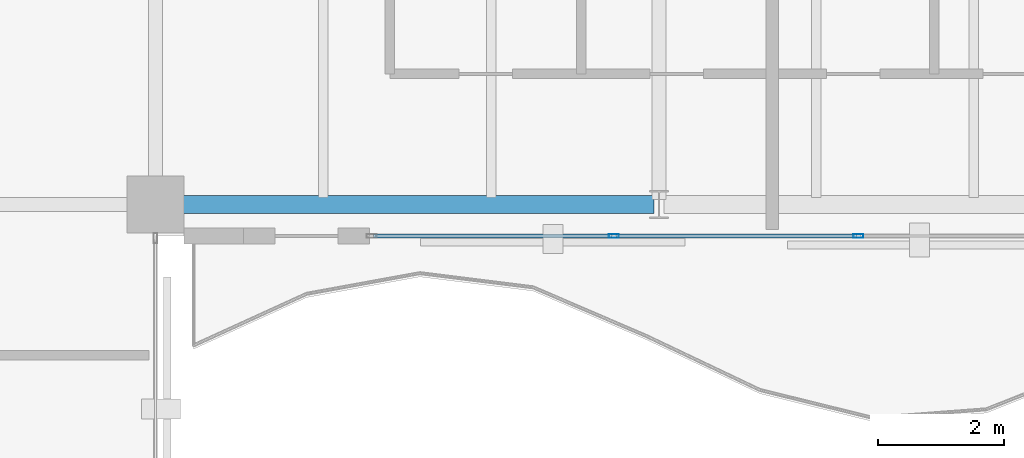
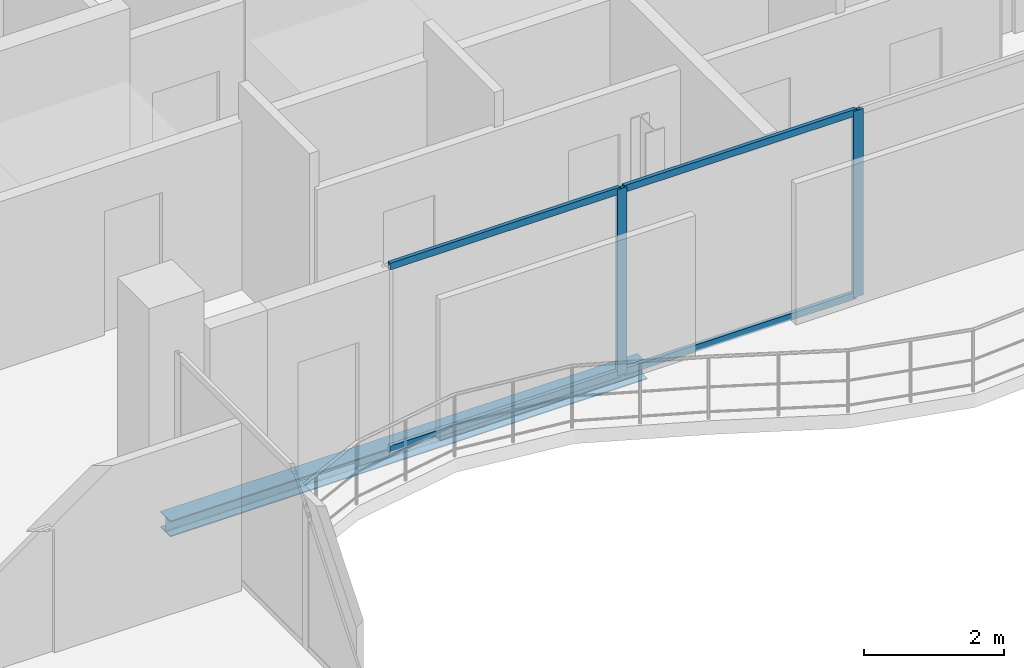
# One storey, part 9 of 22: 6 members, 1 beam, 1 element without a shape of its own.
"""IFC4 building model written with IfcOpenShell, lengths in metres."""

from ifc_helpers import new_model, si_unit, direction, frame, origin, origin_2d, place, context, subcontext, project, spatial, hollow_rectangle, i_section, extrude, material, layer, layer_set, material_profile, profile_set, type_object, element, aggregate, save


model = new_model("IFC4")

# Units and contexts
model_context = context("Model", 3, precision=1e-05, world=origin(), true_north=direction((0.0, 1.0)))
body_context = subcontext(model_context, "Body", "Model", "MODEL_VIEW")
ifc_project = project(units=[si_unit("LENGTHUNIT", "METRE"), si_unit("AREAUNIT", "SQUARE_METRE"), si_unit("VOLUMEUNIT", "CUBIC_METRE"), si_unit("PLANEANGLEUNIT", "RADIAN"), si_unit("MASSUNIT", "GRAM", prefix="KILO")], contexts=[model_context])

# Site, building, storey
site_placement = place(None, origin())
site = spatial("IfcSite", under=ifc_project, at=site_placement, CompositionType="ELEMENT")
building_placement = place(site_placement, origin())
building = spatial("IfcBuilding", under=site, at=building_placement, Name="Catumbela Crestline Tower", CompositionType="ELEMENT")
storey_placement = place(building_placement, frame((0.0, 0.0, 218.4)))
storey = spatial("IfcBuildingStorey", under=building, at=storey_placement, Name="L56", CompositionType="ELEMENT", Elevation=218.4)

# Curtain wall, members
ifc_material_1 = material(Name="Aluminium alloy AW-6060-T66", Category="aluminium")
ifc_layer = layer(ifc_material_1, 0.18, Name="Aluminium alloy AW-6060-T66")
ifc_layer_set = layer_set([ifc_layer], Name="Aluminium alloy AW-6060-T66")
curtain_wall_type = type_object("IfcCurtainWallType", Name="CWU-Z4", PredefinedType="USERDEFINED", material=ifc_layer_set)
curtain_wall_placement = place(storey_placement, origin())
curtain_wall = element("IfcCurtainWall", 1, at=curtain_wall_placement, inside=storey, type_object=curtain_wall_type, Name="L56 Unitised Curtain Wall CW-L56-E3S2", ObjectType="UNITISED", PredefinedType="USERDEFINED")
ifc_material_profile_1 = material_profile(ifc_material_1, hollow_rectangle(XDim=0.06, YDim=0.16, WallThickness=0.004, at=origin_2d()), Name="ALU 160x60x4")
ifc_profile_set_1 = profile_set([ifc_material_profile_1], Name="Aluminium alloy AW-6060-T66")
member_type_1 = type_object("IfcMemberType", Name="MUL-160X60", PredefinedType="MULLION", material=ifc_profile_set_1)
member_1_placement = place(storey_placement, frame((31.2833, 24.0, 0.0), z_axis=(0.0, 0.0, 1.0), x_axis=(0.0, 1.0, 0.0)))
member_1 = element("IfcMember", 2, at=member_1_placement, type_object=member_type_1, Name="CWU-Z4 mullion 2", PredefinedType="MULLION", context=body_context, shape_type="SweptSolid", body=[
    extrude(hollow_rectangle(XDim=0.06, YDim=0.16, WallThickness=0.004, at=origin_2d()), origin(), (0.0, 0.0, 1.0), 3.24),
])
member_2_placement = place(storey_placement, frame((35.1667, 24.0, 0.0), z_axis=(0.0, 0.0, 1.0), x_axis=(0.0, 1.0, 0.0)))
member_2 = element("IfcMember", 3, at=member_2_placement, type_object=member_type_1, Name="CWU-Z4 mullion 3", PredefinedType="MULLION", context=body_context, shape_type="SweptSolid", body=[
    extrude(hollow_rectangle(XDim=0.06, YDim=0.16, WallThickness=0.004, at=origin_2d()), origin(), (0.0, 0.0, 1.0), 3.24),
])

# Beam
ifc_material_2 = material(Name="Structural steel S355J2", Category="steel")
ifc_material_profile_2 = material_profile(ifc_material_2, i_section(OverallWidth=0.28, OverallDepth=0.28, WebThickness=0.0105, FlangeThickness=0.018, FilletRadius=0.024, at=origin_2d()), Name="HEB 280")
ifc_profile_set_2 = profile_set([ifc_material_profile_2], Name="Structural steel S355J2")
beam_type = type_object("IfcBeamType", Name="BS-HEB280", PredefinedType="SPANDREL", material=ifc_profile_set_2)
beam_placement = place(storey_placement, frame((24.08, 24.5, -0.4), z_axis=(1.0, 0.0, 0.0), x_axis=(0.0, 1.0, 0.0)))
element("IfcBeam", 4, at=beam_placement, inside=storey, type_object=beam_type, Name="L56 Spandrel SP-L56-S04", PredefinedType="SPANDREL", context=body_context, shape_type="SweptSolid", body=[
    extrude(i_section(OverallWidth=0.28, OverallDepth=0.28, WebThickness=0.0105, FlangeThickness=0.018, FilletRadius=0.024, at=origin_2d()), origin(), (0.0, 0.0, 1.0), 7.84),
])

# Member
ifc_material_profile_3 = material_profile(ifc_material_1, hollow_rectangle(XDim=0.06, YDim=0.12, WallThickness=0.0035, at=origin_2d()), Name="ALU 120x60x3.5")
ifc_profile_set_3 = profile_set([ifc_material_profile_3], Name="Aluminium alloy AW-6060-T66")
member_type_2 = type_object("IfcMemberType", Name="TRN-120X60", PredefinedType="USERDEFINED", material=ifc_profile_set_3)
member_3_placement = place(storey_placement, frame((27.465, 24.0, 0.03), z_axis=(1.0, 0.0, 0.0), x_axis=(0.0, 1.0, 0.0)))
member_3 = element("IfcMember", 5, at=member_3_placement, type_object=member_type_2, Name="CWU-Z4 transom 1.1", ObjectType="TRANSOM", PredefinedType="USERDEFINED", context=body_context, shape_type="SweptSolid", body=[
    extrude(hollow_rectangle(XDim=0.06, YDim=0.12, WallThickness=0.0035, at=origin_2d()), origin(), (0.0, 0.0, 1.0), 3.7858),
])

member_4_placement = place(storey_placement, frame((27.465, 24.0, 3.21), z_axis=(1.0, 0.0, 0.0), x_axis=(0.0, 1.0, 0.0)))
member_4 = element("IfcMember", 6, at=member_4_placement, type_object=member_type_2, Name="CWU-Z4 transom 1.2", ObjectType="TRANSOM", PredefinedType="USERDEFINED", context=body_context, shape_type="SweptSolid", body=[
    extrude(hollow_rectangle(XDim=0.06, YDim=0.12, WallThickness=0.0035, at=origin_2d()), origin(), (0.0, 0.0, 1.0), 3.7858),
])

member_5_placement = place(storey_placement, frame((31.3158, 24.0, 0.03), z_axis=(1.0, 0.0, 0.0), x_axis=(0.0, 1.0, 0.0)))
member_5 = element("IfcMember", 7, at=member_5_placement, type_object=member_type_2, Name="CWU-Z4 transom 2.1", ObjectType="TRANSOM", PredefinedType="USERDEFINED", context=body_context, shape_type="SweptSolid", body=[
    extrude(hollow_rectangle(XDim=0.06, YDim=0.12, WallThickness=0.0035, at=origin_2d()), origin(), (0.0, 0.0, 1.0), 3.8184),
])

member_6_placement = place(storey_placement, frame((31.3158, 24.0, 3.21), z_axis=(1.0, 0.0, 0.0), x_axis=(0.0, 1.0, 0.0)))
member_6 = element("IfcMember", 8, at=member_6_placement, type_object=member_type_2, Name="CWU-Z4 transom 2.2", ObjectType="TRANSOM", PredefinedType="USERDEFINED", context=body_context, shape_type="SweptSolid", body=[
    extrude(hollow_rectangle(XDim=0.06, YDim=0.12, WallThickness=0.0035, at=origin_2d()), origin(), (0.0, 0.0, 1.0), 3.8184),
])

aggregate(curtain_wall, [member_1, member_2, member_3, member_4, member_5, member_6])

save(model, "model.ifc")
